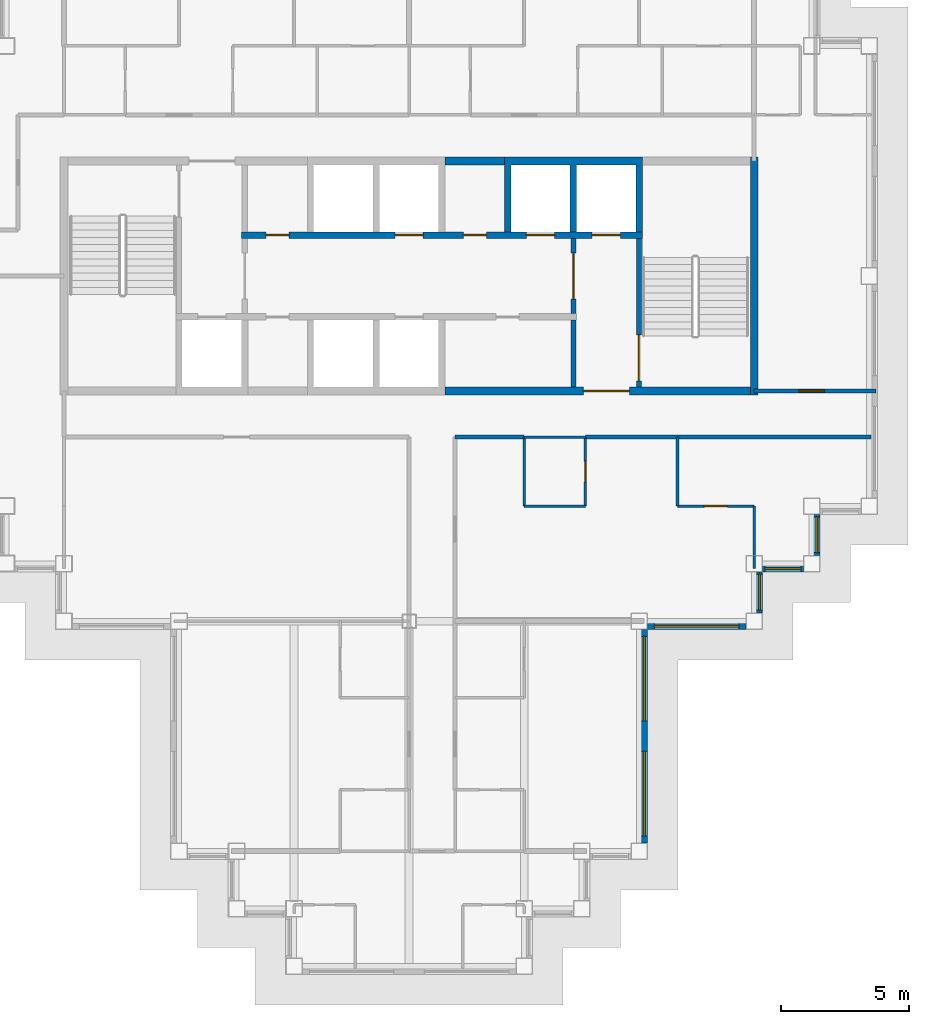
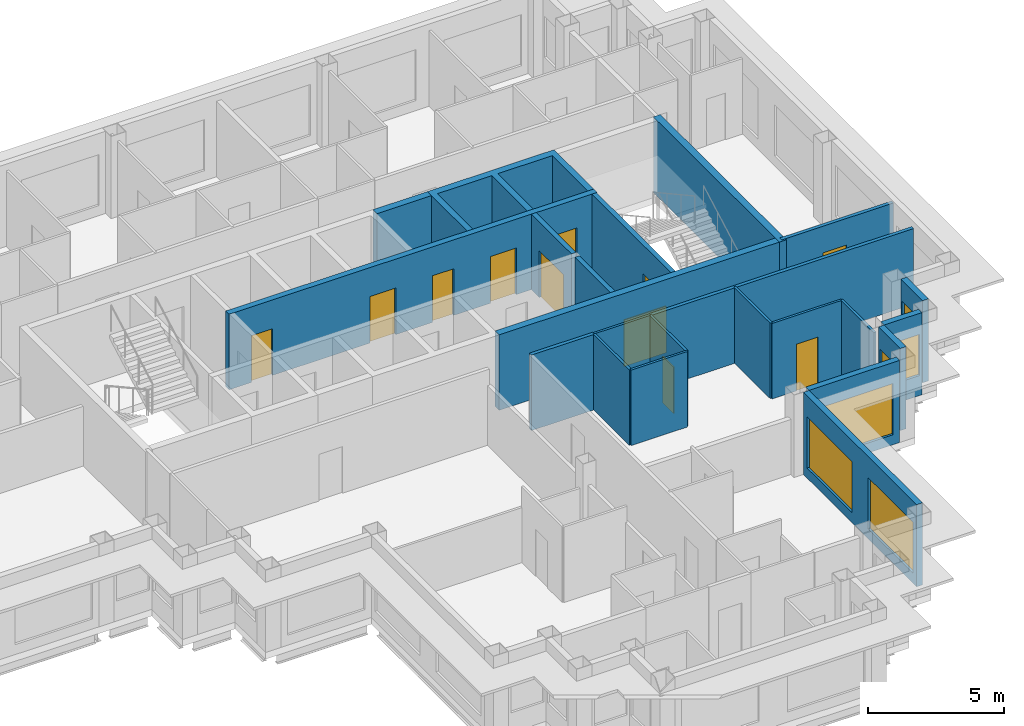
# One storey, part 5 of 12: 23 walls, 11 doors, 6 windows, 17 openings.
"""IFC4 building model written with IfcOpenShell, lengths in metres."""

from ifc_helpers import new_model, si_unit, direction, frame, frame_2d, origin, place, context, subcontext, project, spatial, polyline, rectangle, outline, extrude, material, layer, layer_set, type_object, element, fill, save


model = new_model("IFC4")

# Units and contexts
model_context = context("Model", 3, precision=1e-05, world=origin(), true_north=direction((0.0, 1.0)))
body_context = subcontext(model_context, "Body", "Model", "MODEL_VIEW")
ifc_project = project(units=[si_unit("LENGTHUNIT", "METRE"), si_unit("AREAUNIT", "SQUARE_METRE"), si_unit("VOLUMEUNIT", "CUBIC_METRE"), si_unit("PLANEANGLEUNIT", "RADIAN"), si_unit("MASSUNIT", "GRAM", prefix="KILO")], contexts=[model_context])

# Site, building, storey
site_placement = place(None, origin())
site = spatial("IfcSite", under=ifc_project, at=site_placement, CompositionType="ELEMENT")
building_placement = place(site_placement, origin())
building = spatial("IfcBuilding", under=site, at=building_placement, Name="Caravel Reach Hotel and Residences", CompositionType="ELEMENT")
storey_placement = place(building_placement, frame((0.0, 0.0, 214.60009765625)))
storey = spatial("IfcBuildingStorey", under=building, at=storey_placement, Name="L54", CompositionType="ELEMENT", Elevation=214.60009765625)

# Walls
ifc_material_1 = material(Name="Gypsum board on steel stud", Category="steel")
ifc_layer_1 = layer(ifc_material_1, 0.10009765625)
ifc_layer_set_1 = layer_set([ifc_layer_1], Name="Bathroom pod wall 100 mm")
wall_type_1 = type_object("IfcWallType", Name="Bathroom pod wall 100 mm", PredefinedType="PARTITIONING", material=ifc_layer_set_1)
for number, where, z_axis, x_axis, name in (
    (1, (36.0, 18.0, 0.0), (0.0, 0.0, 1.0), (1.0, 0.0, 0.0), "L54 wall w076"),
    (2, (36.0, 20.699951171875, 0.0), (0.0, 0.0, 1.0), (1.0, 0.0, 0.0), "L54 wall w078"),
):
    element("IfcWall", number, at=place(storey_placement, frame(where, z_axis=z_axis, x_axis=x_axis)), inside=storey, type_object=wall_type_1, Name=name, PredefinedType="PARTITIONING", context=body_context, shape_type="SweptSolid", body=[
        extrude(rectangle(XDim=2.39990234375, YDim=0.10009765625, at=frame_2d((1.199951171875, 0.0))), origin(), (0.0, 0.0, 1.0), 3.39990234375),
    ])
wall_1_placement = place(storey_placement, frame((36.0, 18.0, 0.0), z_axis=(0.0, 0.0, 1.0), x_axis=(0.0, 1.0, 0.0)))
element("IfcWall", 3, at=wall_1_placement, inside=storey, type_object=wall_type_1, Name="L54 wall w100", PredefinedType="PARTITIONING", context=body_context, shape_type="SweptSolid", body=[
    extrude(rectangle(XDim=2.698974609375, YDim=0.10009765625, at=frame_2d((1.349609375, 0.0))), origin(), (0.0, 0.0, 1.0), 3.39990234375),
])

# Wall, opening, door
wall_2_placement = place(storey_placement, frame((38.39990234375, 18.0, 0.0), z_axis=(0.0, 0.0, 1.0), x_axis=(0.0, 1.0, 0.0)))
wall_2 = element("IfcWall", 4, at=wall_2_placement, inside=storey, type_object=wall_type_1, Name="L54 wall w101", PredefinedType="PARTITIONING", context=body_context, shape_type="SweptSolid", body=[
    extrude(rectangle(XDim=2.699951171875, YDim=0.10009765625, at=frame_2d((1.35009765625, 0.0))), origin(), (0.0, 0.0, 1.0), 3.39990234375),
])
opening_1_placement = place(wall_2_placement, frame((0.949951171875, 0.0, 0.0)))
opening_1 = element("IfcOpeningElement", 5, at=opening_1_placement, cuts=wall_2, Name="Opening D54-034", PredefinedType="OPENING", context=body_context, shape_type="SweptSolid", body=[
    extrude(rectangle(XDim=0.800048828125, YDim=2.10009765625, at=frame_2d((0.39990234375, 1.050048828125))), frame((0.0, 0.06005859375, 0.0), z_axis=(0.0, -1.0, 0.0), x_axis=(1.0, 0.0, 0.0)), (0.0, 0.0, 1.0), 0.1201171875),
])
ifc_material_2 = material(Name="Timber and steel door leaf", Category="steel")
door_type_1 = type_object("IfcDoorType", Name="Bathroom door 800 x 2100", OperationType="SINGLE_SWING_LEFT", PredefinedType="DOOR", material=ifc_material_2)
door_1_placement = place(opening_1_placement, origin())
door_1 = element("IfcDoor", 6, at=door_1_placement, inside=storey, type_object=door_type_1, Name="door D54-034", OperationType="SINGLE_SWING_RIGHT", OverallHeight=2.10009765625, OverallWidth=0.800048828125, PredefinedType="DOOR", context=body_context, shape_type="SweptSolid", body=[
    extrude(rectangle(XDim=0.800048828125, YDim=2.10009765625, at=frame_2d((0.39990234375, 1.050048828125))), frame((0.0, 0.02490234375, 0.0), z_axis=(0.0, -1.0, 0.0), x_axis=(1.0, 0.0, 0.0)), (0.0, 0.0, 1.0), 0.050048828125),
])
fill(opening_1, door_1)

# Wall
ifc_material_3 = material(Name="Autoclaved aerated block wall")
ifc_layer_2 = layer(ifc_material_3, 0.199951171875)
ifc_layer_set_2 = layer_set([ifc_layer_2], Name="Compartment wall 200 mm EI 120")
wall_type_2 = type_object("IfcWallType", Name="Compartment wall 200 mm EI 120", PredefinedType="PARTITIONING", material=ifc_layer_set_2)
wall_3_placement = place(storey_placement, frame((37.928466796875, 22.64990234375, 0.0), z_axis=(0.0, 0.0, 1.0), x_axis=(0.0, 1.0, 0.0)))
element("IfcWall", 7, at=wall_3_placement, inside=storey, type_object=wall_type_2, Name="L54 store partition", PredefinedType="PARTITIONING", context=body_context, shape_type="SweptSolid", body=[
    extrude(rectangle(XDim=2.625, YDim=0.199951171875, at=frame_2d((1.3125, 0.0))), origin(), (0.0, 0.0, 1.0), 3.39990234375),
])

# Wall, opening, door
ifc_material_4 = material(Name="Concrete C60", Category="concrete")
ifc_layer_3 = layer(ifc_material_4, 0.300048828125)
ifc_layer_set_3 = layer_set([ifc_layer_3], Name="Core wall 300 mm EI 120")
wall_type_3 = type_object("IfcWallType", Name="Core wall 300 mm EI 120", PredefinedType="SHEAR", material=ifc_layer_set_3)
wall_4_placement = place(storey_placement, frame((32.91064453125, 22.5, 0.0), z_axis=(0.0, 0.0, 1.0), x_axis=(1.0, 0.0, 0.0)))
wall_4 = element("IfcWall", 8, at=wall_4_placement, inside=storey, type_object=wall_type_3, Name="L54 core wall S3", PredefinedType="SHEAR", context=body_context, shape_type="SweptSolid", body=[
    extrude(rectangle(XDim=11.939453125, YDim=0.300048828125, at=frame_2d((5.9697265625, 0.0))), origin(), (0.0, 0.0, 1.0), 3.39990234375),
])
opening_2_placement = place(wall_4_placement, frame((5.403564453125, 0.0, 0.0)))
opening_2 = element("IfcOpeningElement", 9, at=opening_2_placement, cuts=wall_4, Name="Opening D54-015", PredefinedType="OPENING", context=body_context, shape_type="SweptSolid", body=[
    extrude(rectangle(XDim=1.800048828125, YDim=2.10009765625, at=frame_2d((0.89990234375, 1.050048828125))), frame((0.0, 0.159912109375, 0.0), z_axis=(0.0, -1.0, 0.0), x_axis=(1.0, 0.0, 0.0)), (0.0, 0.0, 1.0), 0.320068359375),
])
ifc_material_5 = material(Name="Steel fire door leaf", Category="steel")
door_type_2 = type_object("IfcDoorType", Name="Fire lobby door pair 1800 x 2100 EI 90", OperationType="DOUBLE_DOOR_SINGLE_SWING", PredefinedType="DOOR", material=ifc_material_5)
door_2_placement = place(opening_2_placement, origin())
door_2 = element("IfcDoor", 10, at=door_2_placement, inside=storey, type_object=door_type_2, Name="lobby S door pair to corridor", OperationType="DOUBLE_DOOR_SINGLE_SWING", OverallHeight=2.10009765625, OverallWidth=1.800048828125, PredefinedType="DOOR", context=body_context, shape_type="SweptSolid", body=[
    extrude(rectangle(XDim=1.800048828125, YDim=2.10009765625, at=frame_2d((0.89990234375, 1.050048828125))), frame((0.0, 0.02490234375, 0.0), z_axis=(0.0, -1.0, 0.0), x_axis=(1.0, 0.0, 0.0)), (0.0, 0.0, 1.0), 0.050048828125),
])
fill(opening_2, door_2)

# Walls
wall_5_placement = place(storey_placement, frame((32.91064453125, 31.5, 0.0), z_axis=(0.0, 0.0, 1.0), x_axis=(1.0, 0.0, 0.0)))
element("IfcWall", 11, at=wall_5_placement, inside=storey, type_object=wall_type_3, Name="L54 core wall N2", PredefinedType="SHEAR", context=body_context, shape_type="SweptSolid", body=[
    extrude(rectangle(XDim=2.321533203125, YDim=0.300048828125, at=frame_2d((1.16064453125, 0.0))), origin(), (0.0, 0.0, 1.0), 3.39990234375),
])
wall_6_placement = place(storey_placement, frame((45.0, 22.35009765625, 0.0), z_axis=(0.0, 0.0, 1.0), x_axis=(0.0, 1.0, 0.0)))
element("IfcWall", 12, at=wall_6_placement, inside=storey, type_object=wall_type_3, Name="L54 core wall E", PredefinedType="SHEAR", context=body_context, shape_type="SweptSolid", body=[
    extrude(rectangle(XDim=9.2998046875, YDim=0.300048828125, at=frame_2d((4.64990234375, 0.0))), origin(), (0.0, 0.0, 1.0), 3.39990234375),
])
ifc_material_6 = material(Name="Gypsum board on steel stud, fire-rated", Category="steel")
ifc_layer_4 = layer(ifc_material_6, 0.14990234375)
ifc_layer_set_4 = layer_set([ifc_layer_4], Name="Corridor wall 150 mm EI 60")
wall_type_4 = type_object("IfcWallType", Name="Corridor wall 150 mm EI 60", PredefinedType="PARTITIONING", material=ifc_layer_set_4)
wall_7_placement = place(storey_placement, frame((33.301025390625, 20.699951171875, 0.0), z_axis=(0.0, 0.0, 1.0), x_axis=(1.0, 0.0, 0.0)))
element("IfcWall", 13, at=wall_7_placement, inside=storey, type_object=wall_type_4, Name="L54 wall w001", PredefinedType="PARTITIONING", context=body_context, shape_type="SweptSolid", body=[
    extrude(rectangle(XDim=2.697998046875, YDim=0.14990234375, at=frame_2d((1.34912109375, 0.0))), origin(), (0.0, 0.0, 1.0), 3.39990234375),
])
wall_8_placement = place(storey_placement, frame((38.39990234375, 20.699951171875, 0.0), z_axis=(0.0, 0.0, 1.0), x_axis=(1.0, 0.0, 0.0)))
element("IfcWall", 14, at=wall_8_placement, inside=storey, type_object=wall_type_4, Name="L54 wall w002", PredefinedType="PARTITIONING", context=body_context, shape_type="SweptSolid", body=[
    extrude(rectangle(XDim=11.175048828125, YDim=0.14990234375, at=frame_2d((5.58740234375, 0.0))), origin(), (0.0, 0.0, 1.0), 3.39990234375),
])

# Wall, opening, door
wall_9_placement = place(storey_placement, frame((45.0, 22.5, 0.0), z_axis=(0.0, 0.0, 1.0), x_axis=(1.0, 0.0, 0.0)))
wall_9 = element("IfcWall", 15, at=wall_9_placement, inside=storey, type_object=wall_type_4, Name="L54 wall w006", PredefinedType="PARTITIONING", context=body_context, shape_type="SweptSolid", body=[
    extrude(rectangle(XDim=4.764892578125, YDim=0.14990234375, at=frame_2d((2.38232421875, 0.0))), origin(), (0.0, 0.0, 1.0), 3.39990234375),
])
opening_3_placement = place(wall_9_placement, frame((1.75, 0.0, 0.0)))
opening_3 = element("IfcOpeningElement", 16, at=opening_3_placement, cuts=wall_9, Name="Opening D54-043", PredefinedType="OPENING", context=body_context, shape_type="SweptSolid", body=[
    extrude(rectangle(XDim=1.0, YDim=2.199951171875, at=frame_2d((0.5, 1.10009765625))), frame((0.0, 0.0849609375, 0.0), z_axis=(0.0, -1.0, 0.0), x_axis=(1.0, 0.0, 0.0)), (0.0, 0.0, 1.0), 0.169921875),
])
ifc_material_7 = material(Name="Steel fire door leaf", Category="steel")
door_type_3 = type_object("IfcDoorType", Name="Flat entrance door 1000 x 2200 EI 60", OperationType="SINGLE_SWING_LEFT", PredefinedType="DOOR", material=ifc_material_7)
door_3_placement = place(opening_3_placement, origin())
door_3 = element("IfcDoor", 17, at=door_3_placement, inside=storey, type_object=door_type_3, Name="door D54-043", OperationType="SINGLE_SWING_RIGHT", OverallHeight=2.199951171875, OverallWidth=1.0, PredefinedType="DOOR", context=body_context, shape_type="SweptSolid", body=[
    extrude(rectangle(XDim=1.0, YDim=2.199951171875, at=frame_2d((0.5, 1.10009765625))), frame((0.0, 0.02490234375, 0.0), z_axis=(0.0, -1.0, 0.0), x_axis=(1.0, 0.0, 0.0)), (0.0, 0.0, 1.0), 0.050048828125),
])
fill(opening_3, door_3)

# Wall, opening, window
ifc_material_8 = material(Name="Insulated rainscreen wall, aluminium cladding", Category="aluminium")
ifc_layer_5 = layer(ifc_material_8, 0.25)
ifc_layer_set_5 = layer_set([ifc_layer_5], Name="EW1 Tower rainscreen wall")
wall_type_5 = type_object("IfcWallType", Name="EW1 Tower rainscreen wall", PredefinedType="SOLIDWALL", material=ifc_layer_set_5)
wall_10_placement = place(storey_placement, frame((40.824951171875, 13.300048828125, 0.0), z_axis=(0.0, 0.0, 1.0), x_axis=(1.0, 0.0, 0.0)))
wall_10 = element("IfcWall", 18, at=wall_10_placement, inside=storey, type_object=wall_type_5, Name="External wall L54 S1.1", PredefinedType="SOLIDWALL", context=body_context, shape_type="SweptSolid", body=[
    extrude(rectangle(XDim=3.85009765625, YDim=0.25, at=frame_2d((1.925048828125, 0.0))), origin(), (0.0, 0.0, 1.0), 3.699951171875),
])
opening_4_placement = place(wall_10_placement, frame((0.27490234375, 0.0, 0.449951171875)))
opening_4 = element("IfcOpeningElement", 19, at=opening_4_placement, cuts=wall_10, Name="Opening WN15", PredefinedType="OPENING", context=body_context, shape_type="SweptSolid", body=[
    extrude(rectangle(XDim=3.300048828125, YDim=2.300048828125, at=frame_2d((1.64990234375, 1.14990234375))), frame((0.0, 0.135009765625, 0.0), z_axis=(0.0, -1.0, 0.0), x_axis=(1.0, 0.0, 0.0)), (0.0, 0.0, 1.0), 0.27001953125),
])
ifc_material_9 = material(Name="Dark low-e glazing in black aluminium frame", Category="aluminium")
window_type_1 = type_object("IfcWindowType", Name="Residence living window 3300 x 2300", PartitioningType="SINGLE_PANEL", PredefinedType="WINDOW", material=ifc_material_9)
window_1_placement = place(opening_4_placement, origin())
window_1 = element("IfcWindow", 20, at=window_1_placement, inside=storey, type_object=window_type_1, Name="Window L54 S1.1.1", OverallHeight=2.300048828125, OverallWidth=3.300048828125, PartitioningType="SINGLE_PANEL", PredefinedType="WINDOW", context=body_context, shape_type="SweptSolid", body=[
    extrude(rectangle(XDim=3.300048828125, YDim=2.300048828125, at=frame_2d((1.64990234375, 1.14990234375))), frame((0.0, 0.030029296875, 0.0), z_axis=(0.0, -1.0, 0.0), x_axis=(1.0, 0.0, 0.0)), (0.0, 0.0, 1.0), 0.06005859375),
])
fill(opening_4, window_1)

wall_11_placement = place(storey_placement, frame((45.199951171875, 13.824951171875, 0.0), z_axis=(0.0, 0.0, 1.0), x_axis=(0.0, 1.0, 0.0)))
wall_11 = element("IfcWall", 21, at=wall_11_placement, inside=storey, type_object=wall_type_5, Name="External wall L54 E2.1", PredefinedType="SOLIDWALL", context=body_context, shape_type="SweptSolid", body=[
    extrude(rectangle(XDim=1.60009765625, YDim=0.25, at=frame_2d((0.800048828125, 0.0))), origin(), (0.0, 0.0, 1.0), 3.699951171875),
])
opening_5_placement = place(wall_11_placement, frame((0.10009765625, 0.0, 0.89990234375)))
opening_5 = element("IfcOpeningElement", 22, at=opening_5_placement, cuts=wall_11, Name="Opening WN22", PredefinedType="OPENING", context=body_context, shape_type="SweptSolid", body=[
    extrude(rectangle(XDim=1.39990234375, YDim=1.85009765625, at=frame_2d((0.699951171875, 0.925048828125))), frame((0.0, 0.135009765625, 0.0), z_axis=(0.0, -1.0, 0.0), x_axis=(1.0, 0.0, 0.0)), (0.0, 0.0, 1.0), 0.27001953125),
])
ifc_material_10 = material(Name="Dark low-e glazing in black aluminium frame", Category="aluminium")
window_type_2 = type_object("IfcWindowType", Name="Residence bedroom window 1400 x 1850", PartitioningType="SINGLE_PANEL", PredefinedType="WINDOW", material=ifc_material_10)
window_2_placement = place(opening_5_placement, origin())
window_2 = element("IfcWindow", 23, at=window_2_placement, inside=storey, type_object=window_type_2, Name="Window L54 E2.1.1", OverallHeight=1.85009765625, OverallWidth=1.39990234375, PartitioningType="SINGLE_PANEL", PredefinedType="WINDOW", context=body_context, shape_type="SweptSolid", body=[
    extrude(rectangle(XDim=1.39990234375, YDim=1.85009765625, at=frame_2d((0.699951171875, 0.925048828125))), frame((0.0, 0.030029296875, 0.0), z_axis=(0.0, -1.0, 0.0), x_axis=(1.0, 0.0, 0.0)), (0.0, 0.0, 1.0), 0.06005859375),
])
fill(opening_5, window_2)

wall_12_placement = place(storey_placement, frame((45.324951171875, 15.550048828125, 0.0), z_axis=(0.0, 0.0, 1.0), x_axis=(1.0, 0.0, 0.0)))
wall_12 = element("IfcWall", 24, at=wall_12_placement, inside=storey, type_object=wall_type_5, Name="External wall L54 S3.1", PredefinedType="SOLIDWALL", context=body_context, shape_type="SweptSolid", body=[
    extrude(rectangle(XDim=1.60009765625, YDim=0.25, at=frame_2d((0.800048828125, 0.0))), origin(), (0.0, 0.0, 1.0), 3.699951171875),
])
opening_6_placement = place(wall_12_placement, frame((0.10009765625, 0.0, 0.89990234375)))
opening_6 = element("IfcOpeningElement", 25, at=opening_6_placement, cuts=wall_12, Name="Opening WN22", PredefinedType="OPENING", context=body_context, shape_type="SweptSolid", body=[
    extrude(rectangle(XDim=1.39990234375, YDim=1.85009765625, at=frame_2d((0.699951171875, 0.925048828125))), frame((0.0, 0.135009765625, 0.0), z_axis=(0.0, -1.0, 0.0), x_axis=(1.0, 0.0, 0.0)), (0.0, 0.0, 1.0), 0.27001953125),
])
window_3_placement = place(opening_6_placement, origin())
window_3 = element("IfcWindow", 26, at=window_3_placement, inside=storey, type_object=window_type_2, Name="Window L54 S3.1.1", OverallHeight=1.85009765625, OverallWidth=1.39990234375, PartitioningType="SINGLE_PANEL", PredefinedType="WINDOW", context=body_context, shape_type="SweptSolid", body=[
    extrude(rectangle(XDim=1.39990234375, YDim=1.85009765625, at=frame_2d((0.699951171875, 0.925048828125))), frame((0.0, 0.030029296875, 0.0), z_axis=(0.0, -1.0, 0.0), x_axis=(1.0, 0.0, 0.0)), (0.0, 0.0, 1.0), 0.06005859375),
])
fill(opening_6, window_3)

wall_13_placement = place(storey_placement, frame((47.449951171875, 16.074951171875, 0.0), z_axis=(0.0, 0.0, 1.0), x_axis=(0.0, 1.0, 0.0)))
wall_13 = element("IfcWall", 27, at=wall_13_placement, inside=storey, type_object=wall_type_5, Name="External wall L54 E4.1", PredefinedType="SOLIDWALL", context=body_context, shape_type="SweptSolid", body=[
    extrude(rectangle(XDim=1.60009765625, YDim=0.25, at=frame_2d((0.800048828125, 0.0))), origin(), (0.0, 0.0, 1.0), 3.699951171875),
])
opening_7_placement = place(wall_13_placement, frame((0.10009765625, 0.0, 0.89990234375)))
opening_7 = element("IfcOpeningElement", 28, at=opening_7_placement, cuts=wall_13, Name="Opening WN22", PredefinedType="OPENING", context=body_context, shape_type="SweptSolid", body=[
    extrude(rectangle(XDim=1.39990234375, YDim=1.85009765625, at=frame_2d((0.699951171875, 0.925048828125))), frame((0.0, 0.135009765625, 0.0), z_axis=(0.0, -1.0, 0.0), x_axis=(1.0, 0.0, 0.0)), (0.0, 0.0, 1.0), 0.27001953125),
])
window_4_placement = place(opening_7_placement, origin())
window_4 = element("IfcWindow", 29, at=window_4_placement, inside=storey, type_object=window_type_2, Name="Window L54 E4.1.1", OverallHeight=1.85009765625, OverallWidth=1.39990234375, PartitioningType="SINGLE_PANEL", PredefinedType="WINDOW", context=body_context, shape_type="SweptSolid", body=[
    extrude(rectangle(XDim=1.39990234375, YDim=1.85009765625, at=frame_2d((0.699951171875, 0.925048828125))), frame((0.0, 0.030029296875, 0.0), z_axis=(0.0, -1.0, 0.0), x_axis=(1.0, 0.0, 0.0)), (0.0, 0.0, 1.0), 0.06005859375),
])
fill(opening_7, window_4)

# Wall, openings, windows
wall_14_placement = place(storey_placement, frame((40.699951171875, 4.824951171875, 0.0), z_axis=(0.0, 0.0, 1.0), x_axis=(0.0, 1.0, 0.0)))
wall_14 = element("IfcWall", 30, at=wall_14_placement, inside=storey, type_object=wall_type_5, Name="External wall L54 E40.1", PredefinedType="SOLIDWALL", context=body_context, shape_type="SweptSolid", body=[
    extrude(rectangle(XDim=8.35009765625, YDim=0.25, at=frame_2d((4.175048828125, 0.0))), origin(), (0.0, 0.0, 1.0), 3.699951171875),
])
opening_8_placement = place(wall_14_placement, frame((0.27490234375, 0.0, 0.449951171875)))
opening_8 = element("IfcOpeningElement", 31, at=opening_8_placement, cuts=wall_14, Name="Opening WN15", PredefinedType="OPENING", context=body_context, shape_type="SweptSolid", body=[
    extrude(rectangle(XDim=3.300048828125, YDim=2.300048828125, at=frame_2d((1.64990234375, 1.14990234375))), frame((0.0, 0.135009765625, 0.0), z_axis=(0.0, -1.0, 0.0), x_axis=(1.0, 0.0, 0.0)), (0.0, 0.0, 1.0), 0.27001953125),
])
opening_9_placement = place(wall_14_placement, frame((4.77490234375, 0.0, 0.449951171875)))
opening_9 = element("IfcOpeningElement", 32, at=opening_9_placement, cuts=wall_14, Name="Opening WN15", PredefinedType="OPENING", context=body_context, shape_type="SweptSolid", body=[
    extrude(rectangle(XDim=3.300048828125, YDim=2.300048828125, at=frame_2d((1.64990234375, 1.14990234375))), frame((0.0, 0.135009765625, 0.0), z_axis=(0.0, -1.0, 0.0), x_axis=(1.0, 0.0, 0.0)), (0.0, 0.0, 1.0), 0.27001953125),
])
window_5_placement = place(opening_8_placement, origin())
window_5 = element("IfcWindow", 33, at=window_5_placement, inside=storey, type_object=window_type_1, Name="Window L54 E40.1.1", OverallHeight=2.300048828125, OverallWidth=3.300048828125, PartitioningType="SINGLE_PANEL", PredefinedType="WINDOW", context=body_context, shape_type="SweptSolid", body=[
    extrude(rectangle(XDim=3.300048828125, YDim=2.300048828125, at=frame_2d((1.64990234375, 1.14990234375))), frame((0.0, 0.030029296875, 0.0), z_axis=(0.0, -1.0, 0.0), x_axis=(1.0, 0.0, 0.0)), (0.0, 0.0, 1.0), 0.06005859375),
])
fill(opening_8, window_5)
window_6_placement = place(opening_9_placement, origin())
window_6 = element("IfcWindow", 34, at=window_6_placement, inside=storey, type_object=window_type_1, Name="Window L54 E40.1.2", OverallHeight=2.300048828125, OverallWidth=3.300048828125, PartitioningType="SINGLE_PANEL", PredefinedType="WINDOW", context=body_context, shape_type="SweptSolid", body=[
    extrude(rectangle(XDim=3.300048828125, YDim=2.300048828125, at=frame_2d((1.64990234375, 1.14990234375))), frame((0.0, 0.030029296875, 0.0), z_axis=(0.0, -1.0, 0.0), x_axis=(1.0, 0.0, 0.0)), (0.0, 0.0, 1.0), 0.06005859375),
])
fill(opening_9, window_6)

# Wall, opening, door
ifc_material_11 = material(Name="Autoclaved aerated block wall")
ifc_layer_6 = layer(ifc_material_11, 0.199951171875)
ifc_layer_set_6 = layer_set([ifc_layer_6], Name="Fire lobby wall 200 mm EI 120")
wall_type_6 = type_object("IfcWallType", Name="Fire lobby wall 200 mm EI 120", PredefinedType="PARTITIONING", material=ifc_layer_set_6)
wall_15_placement = place(storey_placement, frame((37.928466796875, 25.52490234375, 0.0), z_axis=(0.0, 0.0, 1.0), x_axis=(0.0, 1.0, 0.0)))
wall_15 = element("IfcWall", 35, at=wall_15_placement, inside=storey, type_object=wall_type_6, Name="L54 lobby E wall", PredefinedType="PARTITIONING", context=body_context, shape_type="SweptSolid", body=[
    extrude(rectangle(XDim=2.9501953125, YDim=0.199951171875, at=frame_2d((1.47509765625, 0.0))), origin(), (0.0, 0.0, 1.0), 3.39990234375),
])
opening_10_placement = place(wall_15_placement, frame((0.574951171875, 0.0, 0.0)))
opening_10 = element("IfcOpeningElement", 36, at=opening_10_placement, cuts=wall_15, Name="Opening D54-013", PredefinedType="OPENING", context=body_context, shape_type="SweptSolid", body=[
    extrude(rectangle(XDim=1.800048828125, YDim=2.10009765625, at=frame_2d((0.89990234375, 1.050048828125))), frame((0.0, 0.10986328125, 0.0), z_axis=(0.0, -1.0, 0.0), x_axis=(1.0, 0.0, 0.0)), (0.0, 0.0, 1.0), 0.219970703125),
])
door_4_placement = place(opening_10_placement, origin())
door_4 = element("IfcDoor", 37, at=door_4_placement, inside=storey, type_object=door_type_2, Name="lobby E door pair", OperationType="DOUBLE_DOOR_SINGLE_SWING", OverallHeight=2.10009765625, OverallWidth=1.800048828125, PredefinedType="DOOR", context=body_context, shape_type="SweptSolid", body=[
    extrude(rectangle(XDim=1.800048828125, YDim=2.10009765625, at=frame_2d((0.89990234375, 1.050048828125))), frame((0.0, 0.02490234375, 0.0), z_axis=(0.0, -1.0, 0.0), x_axis=(1.0, 0.0, 0.0)), (0.0, 0.0, 1.0), 0.050048828125),
])
fill(opening_10, door_4)

ifc_material_12 = material(Name="Gypsum board on steel stud", Category="steel")
ifc_layer_7 = layer(ifc_material_12, 0.10009765625)
ifc_layer_set_7 = layer_set([ifc_layer_7], Name="Partition 100 mm")
wall_type_7 = type_object("IfcWallType", Name="Partition 100 mm", PredefinedType="PARTITIONING", material=ifc_layer_set_7)
wall_16_placement = place(storey_placement, frame((42.0, 18.0, 0.0), z_axis=(0.0, 0.0, 1.0), x_axis=(1.0, 0.0, 0.0)))
wall_16 = element("IfcWall", 38, at=wall_16_placement, inside=storey, type_object=wall_type_7, Name="L54 wall w033", PredefinedType="PARTITIONING", context=body_context, shape_type="SweptSolid", body=[
    extrude(rectangle(XDim=3.0, YDim=0.10009765625, at=frame_2d((1.5, 0.0))), origin(), (0.0, 0.0, 1.0), 3.39990234375),
])
opening_11_placement = place(wall_16_placement, frame((1.050048828125, 0.0, 0.0)))
opening_11 = element("IfcOpeningElement", 39, at=opening_11_placement, cuts=wall_16, Name="Opening D54-035", PredefinedType="OPENING", context=body_context, shape_type="SweptSolid", body=[
    extrude(rectangle(XDim=0.89990234375, YDim=2.10009765625, at=frame_2d((0.449951171875, 1.050048828125))), frame((0.0, 0.06005859375, 0.0), z_axis=(0.0, -1.0, 0.0), x_axis=(1.0, 0.0, 0.0)), (0.0, 0.0, 1.0), 0.1201171875),
])
ifc_material_13 = material(Name="Timber and steel door leaf", Category="steel")
door_type_4 = type_object("IfcDoorType", Name="Door 900 x 2100 timber", OperationType="SINGLE_SWING_LEFT", PredefinedType="DOOR", material=ifc_material_13)
door_5_placement = place(opening_11_placement, origin())
door_5 = element("IfcDoor", 40, at=door_5_placement, inside=storey, type_object=door_type_4, Name="door D54-035", OperationType="SINGLE_SWING_LEFT", OverallHeight=2.10009765625, OverallWidth=0.89990234375, PredefinedType="DOOR", context=body_context, shape_type="SweptSolid", body=[
    extrude(rectangle(XDim=0.89990234375, YDim=2.10009765625, at=frame_2d((0.449951171875, 1.050048828125))), frame((0.0, 0.02490234375, 0.0), z_axis=(0.0, -1.0, 0.0), x_axis=(1.0, 0.0, 0.0)), (0.0, 0.0, 1.0), 0.050048828125),
])
fill(opening_11, door_5)

# Walls
wall_17_placement = place(storey_placement, frame((42.0, 18.0, 0.0), z_axis=(0.0, 0.0, 1.0), x_axis=(0.0, 1.0, 0.0)))
element("IfcWall", 41, at=wall_17_placement, inside=storey, type_object=wall_type_7, Name="L54 wall w065", PredefinedType="PARTITIONING", context=body_context, shape_type="SweptSolid", body=[
    extrude(rectangle(XDim=2.699951171875, YDim=0.10009765625, at=frame_2d((1.35009765625, 0.0))), origin(), (0.0, 0.0, 1.0), 3.39990234375),
])
wall_18_placement = place(storey_placement, frame((45.0, 15.56005859375, 0.0), z_axis=(0.0, 0.0, 1.0), x_axis=(0.0, 1.0, 0.0)))
element("IfcWall", 42, at=wall_18_placement, inside=storey, type_object=wall_type_7, Name="L54 wall w066", PredefinedType="PARTITIONING", context=body_context, shape_type="SweptSolid", body=[
    extrude(rectangle(XDim=2.43994140625, YDim=0.10009765625, at=frame_2d((1.219970703125, 0.0))), origin(), (0.0, 0.0, 1.0), 3.39990234375),
])
ifc_material_14 = material(Name="Concrete C60", Category="concrete")
ifc_layer_8 = layer(ifc_material_14, 0.25)
ifc_layer_set_8 = layer_set([ifc_layer_8], Name="Shaft wall 250 mm EI 120")
wall_type_8 = type_object("IfcWallType", Name="Shaft wall 250 mm EI 120", PredefinedType="SHEAR", material=ifc_layer_set_8)
wall_19_placement = place(storey_placement, origin())
element("IfcWall", 43, at=wall_19_placement, inside=storey, type_object=wall_type_8, Name="L54 lift shaft wall N2", PredefinedType="SHEAR", context=body_context, shape_type="SweptSolid", body=[
    extrude(outline(polyline([(35.232177734375, 28.72509765625), (35.482177734375, 28.72509765625), (35.482177734375, 31.35009765625), (37.803466796875, 31.35009765625), (37.803466796875, 28.72509765625), (38.053466796875, 28.72509765625), (38.053466796875, 31.35009765625), (40.375, 31.35009765625), (40.375, 28.72509765625), (40.625, 28.72509765625), (40.625, 31.64990234375), (35.232177734375, 31.64990234375), (35.232177734375, 28.72509765625)])), origin(), (0.0, 0.0, 1.0), 3.39990234375),
])

# Wall, openings, doors
wall_20_placement = place(storey_placement, frame((24.946533203125, 28.60009765625, 0.0), z_axis=(0.0, 0.0, 1.0), x_axis=(1.0, 0.0, 0.0)))
wall_20 = element("IfcWall", 44, at=wall_20_placement, inside=storey, type_object=wall_type_8, Name="L54 lobby wall N1", PredefinedType="SHEAR", context=body_context, shape_type="SweptSolid", body=[
    extrude(rectangle(XDim=15.678466796875, YDim=0.25, at=frame_2d((7.83935546875, 0.0))), origin(), (0.0, 0.0, 1.0), 3.39990234375),
])
opening_12_placement = place(wall_20_placement, frame((6.003662109375, 0.0, 0.0)))
opening_12 = element("IfcOpeningElement", 45, at=opening_12_placement, cuts=wall_20, Name="Opening D54-002", PredefinedType="OPENING", context=body_context, shape_type="SweptSolid", body=[
    extrude(rectangle(XDim=1.10009765625, YDim=2.10009765625, at=frame_2d((0.550048828125, 1.050048828125))), frame((0.0, 0.135009765625, 0.0), z_axis=(0.0, -1.0, 0.0), x_axis=(1.0, 0.0, 0.0)), (0.0, 0.0, 1.0), 0.27001953125),
])
opening_13_placement = place(wall_20_placement, frame((11.146484375, 0.0, 0.0)))
opening_13 = element("IfcOpeningElement", 46, at=opening_13_placement, cuts=wall_20, Name="Opening D54-003", PredefinedType="OPENING", context=body_context, shape_type="SweptSolid", body=[
    extrude(rectangle(XDim=1.10009765625, YDim=2.10009765625, at=frame_2d((0.550048828125, 1.050048828125))), frame((0.0, 0.135009765625, 0.0), z_axis=(0.0, -1.0, 0.0), x_axis=(1.0, 0.0, 0.0)), (0.0, 0.0, 1.0), 0.27001953125),
])
opening_14_placement = place(wall_20_placement, frame((13.718017578125, 0.0, 0.0)))
opening_14 = element("IfcOpeningElement", 47, at=opening_14_placement, cuts=wall_20, Name="Opening D54-005", PredefinedType="OPENING", context=body_context, shape_type="SweptSolid", body=[
    extrude(rectangle(XDim=1.10009765625, YDim=2.10009765625, at=frame_2d((0.550048828125, 1.050048828125))), frame((0.0, 0.135009765625, 0.0), z_axis=(0.0, -1.0, 0.0), x_axis=(1.0, 0.0, 0.0)), (0.0, 0.0, 1.0), 0.27001953125),
])
opening_15_placement = place(wall_20_placement, frame((0.960693359375, 0.0, 0.0)))
opening_15 = element("IfcOpeningElement", 48, at=opening_15_placement, cuts=wall_20, Name="Opening D54-008", PredefinedType="OPENING", context=body_context, shape_type="SweptSolid", body=[
    extrude(rectangle(XDim=0.89990234375, YDim=2.10009765625, at=frame_2d((0.449951171875, 1.050048828125))), frame((0.0, 0.135009765625, 0.0), z_axis=(0.0, -1.0, 0.0), x_axis=(1.0, 0.0, 0.0)), (0.0, 0.0, 1.0), 0.27001953125),
])
opening_16_placement = place(wall_20_placement, frame((8.675048828125, 0.0, 0.0)))
opening_16 = element("IfcOpeningElement", 49, at=opening_16_placement, cuts=wall_20, Name="Opening D54-009", PredefinedType="OPENING", context=body_context, shape_type="SweptSolid", body=[
    extrude(rectangle(XDim=0.89990234375, YDim=2.10009765625, at=frame_2d((0.449951171875, 1.050048828125))), frame((0.0, 0.135009765625, 0.0), z_axis=(0.0, -1.0, 0.0), x_axis=(1.0, 0.0, 0.0)), (0.0, 0.0, 1.0), 0.27001953125),
])
ifc_material_15 = material(Name="Stainless steel landing door", Category="steel")
door_type_5 = type_object("IfcDoorType", Name="Landing door LD 1100 x 2100 sliding", OperationType="DOUBLE_DOOR_SLIDING", PredefinedType="DOOR", material=ifc_material_15)
door_6_placement = place(opening_12_placement, origin())
door_6 = element("IfcDoor", 50, at=door_6_placement, inside=storey, type_object=door_type_5, Name="MP2 landing door", OperationType="DOUBLE_DOOR_SLIDING", OverallHeight=2.10009765625, OverallWidth=1.10009765625, PredefinedType="DOOR", context=body_context, shape_type="SweptSolid", body=[
    extrude(rectangle(XDim=1.10009765625, YDim=2.10009765625, at=frame_2d((0.550048828125, 1.050048828125))), frame((0.0, 0.02490234375, 0.0), z_axis=(0.0, -1.0, 0.0), x_axis=(1.0, 0.0, 0.0)), (0.0, 0.0, 1.0), 0.050048828125),
])
fill(opening_12, door_6)
door_7_placement = place(opening_13_placement, origin())
door_7 = element("IfcDoor", 51, at=door_7_placement, inside=storey, type_object=door_type_5, Name="MP3 landing door", OperationType="DOUBLE_DOOR_SLIDING", OverallHeight=2.10009765625, OverallWidth=1.10009765625, PredefinedType="DOOR", context=body_context, shape_type="SweptSolid", body=[
    extrude(rectangle(XDim=1.10009765625, YDim=2.10009765625, at=frame_2d((0.550048828125, 1.050048828125))), frame((0.0, 0.02490234375, 0.0), z_axis=(0.0, -1.0, 0.0), x_axis=(1.0, 0.0, 0.0)), (0.0, 0.0, 1.0), 0.050048828125),
])
fill(opening_13, door_7)
door_8_placement = place(opening_14_placement, origin())
door_8 = element("IfcDoor", 52, at=door_8_placement, inside=storey, type_object=door_type_5, Name="FL2 landing door", OperationType="DOUBLE_DOOR_SLIDING", OverallHeight=2.10009765625, OverallWidth=1.10009765625, PredefinedType="DOOR", context=body_context, shape_type="SweptSolid", body=[
    extrude(rectangle(XDim=1.10009765625, YDim=2.10009765625, at=frame_2d((0.550048828125, 1.050048828125))), frame((0.0, 0.02490234375, 0.0), z_axis=(0.0, -1.0, 0.0), x_axis=(1.0, 0.0, 0.0)), (0.0, 0.0, 1.0), 0.050048828125),
])
fill(opening_14, door_8)
ifc_material_16 = material(Name="Steel fire door leaf", Category="steel")
door_type_6 = type_object("IfcDoorType", Name="Riser door 900 x 2100 EI 60", OperationType="SINGLE_SWING_LEFT", PredefinedType="DOOR", material=ifc_material_16)
door_9_placement = place(opening_15_placement, origin())
door_9 = element("IfcDoor", 53, at=door_9_placement, inside=storey, type_object=door_type_6, Name="Comms room door", OperationType="SINGLE_SWING_LEFT", OverallHeight=2.10009765625, OverallWidth=0.89990234375, PredefinedType="DOOR", context=body_context, shape_type="SweptSolid", body=[
    extrude(rectangle(XDim=0.89990234375, YDim=2.10009765625, at=frame_2d((0.449951171875, 1.050048828125))), frame((0.0, 0.02490234375, 0.0), z_axis=(0.0, -1.0, 0.0), x_axis=(1.0, 0.0, 0.0)), (0.0, 0.0, 1.0), 0.050048828125),
])
fill(opening_15, door_9)
door_10_placement = place(opening_16_placement, origin())
door_10 = element("IfcDoor", 54, at=door_10_placement, inside=storey, type_object=door_type_6, Name="Refuse store door", OperationType="SINGLE_SWING_LEFT", OverallHeight=2.10009765625, OverallWidth=0.89990234375, PredefinedType="DOOR", context=body_context, shape_type="SweptSolid", body=[
    extrude(rectangle(XDim=0.89990234375, YDim=2.10009765625, at=frame_2d((0.449951171875, 1.050048828125))), frame((0.0, 0.02490234375, 0.0), z_axis=(0.0, -1.0, 0.0), x_axis=(1.0, 0.0, 0.0)), (0.0, 0.0, 1.0), 0.050048828125),
])
fill(opening_16, door_10)

# Wall, opening, door
ifc_material_17 = material(Name="Concrete C60", Category="concrete")
ifc_layer_9 = layer(ifc_material_17, 0.199951171875)
ifc_layer_set_9 = layer_set([ifc_layer_9], Name="Stair enclosure wall 200 mm EI 120")
wall_type_9 = type_object("IfcWallType", Name="Stair enclosure wall 200 mm EI 120", PredefinedType="SHEAR", material=ifc_layer_set_9)
wall_21_placement = place(storey_placement, frame((40.5, 22.64990234375, 0.0), z_axis=(0.0, 0.0, 1.0), x_axis=(0.0, 1.0, 0.0)))
wall_21 = element("IfcWall", 55, at=wall_21_placement, inside=storey, type_object=wall_type_9, Name="L54 stair B wall", PredefinedType="SHEAR", context=body_context, shape_type="SweptSolid", body=[
    extrude(rectangle(XDim=5.8251953125, YDim=0.199951171875, at=frame_2d((2.91259765625, 0.0))), origin(), (0.0, 0.0, 1.0), 3.39990234375),
])
opening_17_placement = place(wall_21_placement, frame((0.25, 0.0, 0.0)))
opening_17 = element("IfcOpeningElement", 56, at=opening_17_placement, cuts=wall_21, Name="Opening D54-011", PredefinedType="OPENING", context=body_context, shape_type="SweptSolid", body=[
    extrude(rectangle(XDim=1.800048828125, YDim=2.10009765625, at=frame_2d((0.89990234375, 1.050048828125))), frame((0.0, 0.10986328125, 0.0), z_axis=(0.0, -1.0, 0.0), x_axis=(1.0, 0.0, 0.0)), (0.0, 0.0, 1.0), 0.219970703125),
])
ifc_material_18 = material(Name="Steel fire door leaf", Category="steel")
door_type_7 = type_object("IfcDoorType", Name="Stair door pair 1800 x 2100 EI 90", OperationType="DOUBLE_DOOR_SINGLE_SWING", PredefinedType="DOOR", material=ifc_material_18)
door_11_placement = place(opening_17_placement, origin())
door_11 = element("IfcDoor", 57, at=door_11_placement, inside=storey, type_object=door_type_7, Name="stair B door pair", OperationType="DOUBLE_DOOR_SINGLE_SWING", OverallHeight=2.10009765625, OverallWidth=1.800048828125, PredefinedType="DOOR", context=body_context, shape_type="SweptSolid", body=[
    extrude(rectangle(XDim=1.800048828125, YDim=2.10009765625, at=frame_2d((0.89990234375, 1.050048828125))), frame((0.0, 0.02490234375, 0.0), z_axis=(0.0, -1.0, 0.0), x_axis=(1.0, 0.0, 0.0)), (0.0, 0.0, 1.0), 0.050048828125),
])
fill(opening_17, door_11)

save(model, "model.ifc")
